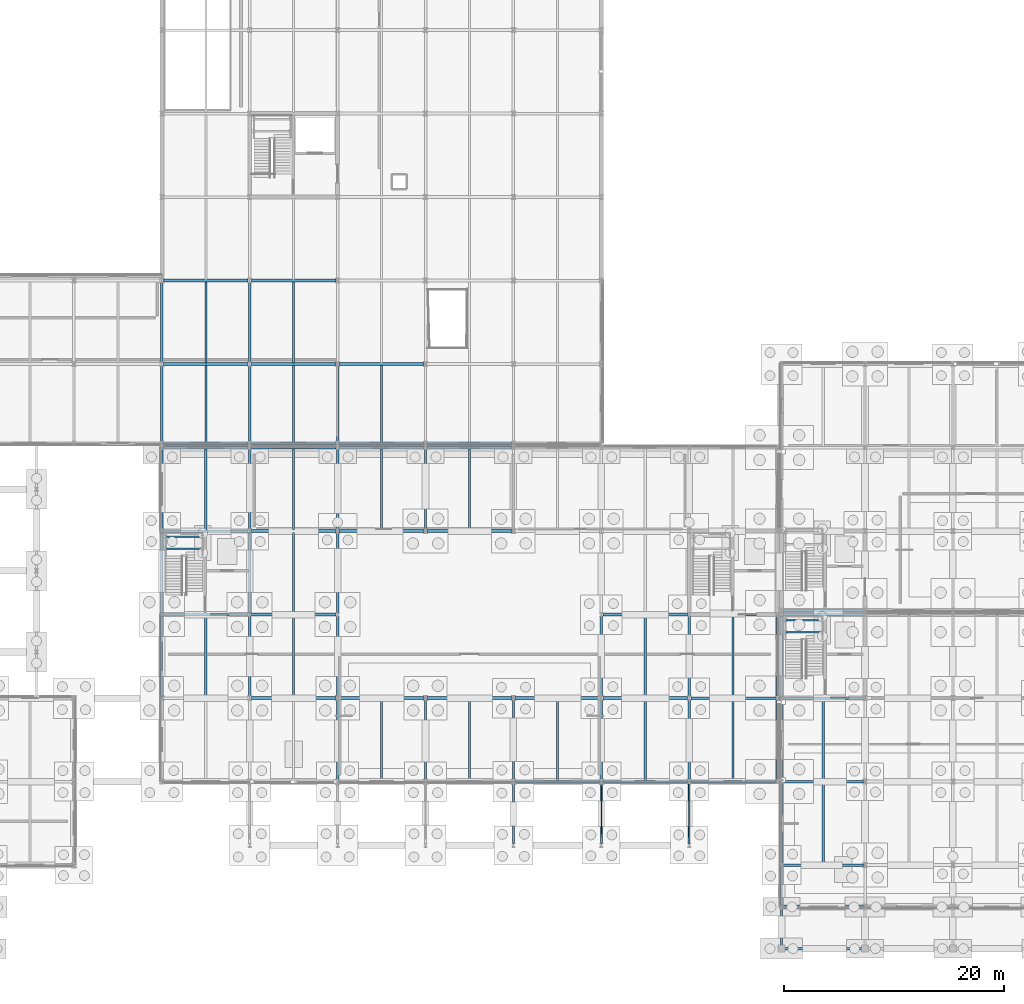
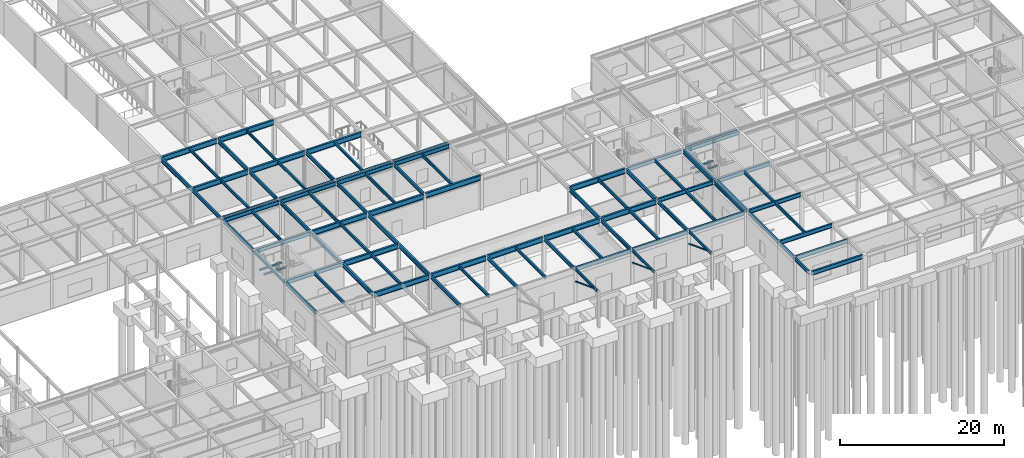
# One storey, part 30 of 62: 94 beams, 3 members.
"""IFC4 building model written with IfcOpenShell, lengths in metres."""

from ifc_helpers import new_model, si_unit, direction, frame, origin, origin_2d, place, context, subcontext, project, spatial, hollow_rectangle, i_section, extrude, material, material_profile, profile_set, type_object, element, save


model = new_model("IFC4")

# Units and contexts
model_context = context("Model", 3, precision=1e-05, world=origin(), true_north=direction((0.0, 1.0)))
body_context = subcontext(model_context, "Body", "Model", "MODEL_VIEW")
ifc_project = project(units=[si_unit("LENGTHUNIT", "METRE"), si_unit("AREAUNIT", "SQUARE_METRE"), si_unit("VOLUMEUNIT", "CUBIC_METRE"), si_unit("PLANEANGLEUNIT", "RADIAN"), si_unit("MASSUNIT", "GRAM", prefix="KILO")], contexts=[model_context])

# Site, building, storey
site_placement = place(None, origin())
site = spatial("IfcSite", under=ifc_project, at=site_placement, CompositionType="ELEMENT")
building_placement = place(site_placement, origin())
building = spatial("IfcBuilding", under=site, at=building_placement, Name="Zulena Civic Courthouse", CompositionType="ELEMENT")
storey_placement = place(building_placement, origin())
storey = spatial("IfcBuildingStorey", under=building, at=storey_placement, Name="L00", CompositionType="ELEMENT", Elevation=0.0)

# Beams
ifc_material_1 = material(Name="Steel ASTM A992 Grade 50", Category="steel")
ifc_material_profile_1 = material_profile(ifc_material_1, i_section(OverallWidth=0.177978515625, OverallDepth=0.406005859375, WebThickness=0.0078125, FlangeThickness=0.0126953125, FilletRadius=0.01025390625, at=origin_2d()), Name="W16X40")
ifc_profile_set_1 = profile_set([ifc_material_profile_1], Name="Steel ASTM A992 Grade 50")
beam_type_1 = type_object("IfcBeamType", Name="CanopyBeam_W16X40", PredefinedType="BEAM", material=ifc_profile_set_1)
for number, where, z_axis, x_axis, name in (
    (1, (100.0, 9.56005859375, 5.0419921875), (0.0, 1.0, 0.0), (-1.0, 0.0, 0.0), "beam:canopy:100.0"),
    (2, (108.0, 9.56005859375, 5.0419921875), (0.0, 1.0, 0.0), (-1.0, 0.0, 0.0), "beam:canopy:108.0"),
    (3, (116.0, 9.56005859375, 5.0419921875), (0.0, 1.0, 0.0), (-1.0, 0.0, 0.0), "beam:canopy:116.0"),
):
    element("IfcBeam", number, at=place(storey_placement, frame(where, z_axis=z_axis, x_axis=x_axis)), inside=storey, type_object=beam_type_1, Name=name, PredefinedType="BEAM", context=body_context, shape_type="SweptSolid", body=[
        extrude(i_section(OverallWidth=0.177978515625, OverallDepth=0.406005859375, WebThickness=0.0078125, FlangeThickness=0.0126953125, FilletRadius=0.01025390625, at=origin_2d()), origin(), (0.0, 0.0, 1.0), 5.43994140625),
    ])

# Members
ifc_material_2 = material(Name="Steel ASTM A500 Grade C", Category="steel")
ifc_material_profile_2 = material_profile(ifc_material_2, hollow_rectangle(XDim=0.152099609375, YDim=0.152099609375, WallThickness=0.0087890625, at=origin_2d()), Name="HSS6X6X3/8")
ifc_profile_set_2 = profile_set([ifc_material_profile_2], Name="Steel ASTM A500 Grade C")
member_type_1 = type_object("IfcMemberType", Name="CanopyStrut_HSS6", PredefinedType="BRACE", material=ifc_profile_set_2)
for number, where, z_axis, x_axis, name in (
    (4, (100.0, 15.0, 3.199951171875), (0.0, -0.935038849003, 0.354545273349), (1.0, 0.0, 0.0), "mem:canopy:strut:100.0"),
    (5, (116.0, 15.0, 3.199951171875), (0.0, -0.935038849003, 0.354545273349), (1.0, 0.0, 0.0), "mem:canopy:strut:116.0"),
):
    element("IfcMember", number, at=place(storey_placement, frame(where, z_axis=z_axis, x_axis=x_axis)), inside=storey, type_object=member_type_1, Name=name, PredefinedType="BRACE", context=body_context, shape_type="SweptSolid", body=[
        extrude(hollow_rectangle(XDim=0.152099609375, YDim=0.152099609375, WallThickness=0.0087890625, at=origin_2d()), origin(), (0.0, 0.0, 1.0), 5.133544921875),
    ])
ifc_material_profile_3 = material_profile(ifc_material_2, hollow_rectangle(XDim=0.10205078125, YDim=0.152099609375, WallThickness=0.0087890625, at=origin_2d()), Name="HSS6X4X3/8")
ifc_profile_set_3 = profile_set([ifc_material_profile_3], Name="Steel ASTM A500 Grade C")
member_type_2 = type_object("IfcMemberType", Name="CanopyStrut_HSS6X4", PredefinedType="BRACE", material=ifc_profile_set_3)
member_placement = place(storey_placement, frame((108.0, 15.0, 3.199951171875), z_axis=(0.0, -0.935038849003, 0.354545273349), x_axis=(1.0, 0.0, 0.0)))
element("IfcMember", 6, at=member_placement, inside=storey, type_object=member_type_2, Name="mem:canopy:strut:108.0", PredefinedType="BRACE", context=body_context, shape_type="SweptSolid", body=[
    extrude(hollow_rectangle(XDim=0.10205078125, YDim=0.152099609375, WallThickness=0.0087890625, at=origin_2d()), origin(), (0.0, 0.0, 1.0), 5.133544921875),
])

# Beams
ifc_material_profile_4 = material_profile(ifc_material_1, i_section(OverallWidth=0.22802734375, OverallDepth=0.60693359375, WebThickness=0.01123046875, FlangeThickness=0.017333984375, FilletRadius=0.0126953125, at=origin_2d()), Name="W24X76")
ifc_profile_set_4 = profile_set([ifc_material_profile_4], Name="Steel ASTM A992 Grade 50")
beam_type_2 = type_object("IfcBeamType", Name="Girder_W24X76", PredefinedType="BEAM", material=ifc_profile_set_4)
for number, where, z_axis, x_axis, name in (
    (7, (68.0, 53.344970703125, 4.881591796875), (0.0, 1.0, 0.0), (-1.0, 0.0, 0.0), "beam:Y:V5:L00:68.0:53.2_60.8"),
    (8, (76.0, 53.344970703125, 4.881591796875), (0.0, 1.0, 0.0), (-1.0, 0.0, 0.0), "beam:Y:V5:L00:76.0:53.2_60.8"),
):
    element("IfcBeam", number, at=place(storey_placement, frame(where, z_axis=z_axis, x_axis=x_axis)), inside=storey, type_object=beam_type_2, Name=name, PredefinedType="BEAM", context=body_context, shape_type="SweptSolid", body=[
        extrude(i_section(OverallWidth=0.22802734375, OverallDepth=0.60693359375, WebThickness=0.01123046875, FlangeThickness=0.017333984375, FilletRadius=0.0126953125, at=origin_2d()), origin(), (0.0, 0.0, 1.0), 7.31005859375),
    ])
ifc_material_profile_5 = material_profile(ifc_material_1, i_section(OverallWidth=0.22998046875, OverallDepth=0.616943359375, WebThickness=0.01318359375, FlangeThickness=0.022216796875, FilletRadius=0.0126953125, at=origin_2d()), Name="W24X94")
ifc_profile_set_5 = profile_set([ifc_material_profile_5], Name="Steel ASTM A992 Grade 50")
beam_type_3 = type_object("IfcBeamType", Name="Girder_W24X94", PredefinedType="BEAM", material=ifc_profile_set_5)
beam_1_placement = place(storey_placement, frame((76.0, 22.945068359375, 4.87646484375), z_axis=(0.0, 1.0, 0.0), x_axis=(-1.0, 0.0, 0.0)))
element("IfcBeam", 9, at=beam_1_placement, inside=storey, type_object=beam_type_3, Name="beam:Y:V4:L00:76.0:22.8_30.4", PredefinedType="BEAM", context=body_context, shape_type="SweptSolid", body=[
    extrude(i_section(OverallWidth=0.22998046875, OverallDepth=0.616943359375, WebThickness=0.01318359375, FlangeThickness=0.022216796875, FilletRadius=0.0126953125, at=origin_2d()), origin(), (0.0, 0.0, 1.0), 7.309814453125),
])
beam_2_placement = place(storey_placement, frame((76.0, 30.544921875, 4.87646484375), z_axis=(0.0, 1.0, 0.0), x_axis=(-1.0, 0.0, 0.0)))
element("IfcBeam", 10, at=beam_2_placement, inside=storey, type_object=beam_type_3, Name="beam:Y:V4:L00:76.0:30.4_38.0", PredefinedType="BEAM", context=body_context, shape_type="SweptSolid", body=[
    extrude(i_section(OverallWidth=0.22998046875, OverallDepth=0.616943359375, WebThickness=0.01318359375, FlangeThickness=0.022216796875, FilletRadius=0.0126953125, at=origin_2d()), origin(), (0.0, 0.0, 1.0), 7.31005859375),
])
beam_3_placement = place(storey_placement, frame((84.0, 22.945068359375, 4.87646484375), z_axis=(0.0, 1.0, 0.0), x_axis=(-1.0, 0.0, 0.0)))
element("IfcBeam", 11, at=beam_3_placement, inside=storey, type_object=beam_type_3, Name="beam:Y:V4:L00:84.0:22.8_30.4", PredefinedType="BEAM", context=body_context, shape_type="SweptSolid", body=[
    extrude(i_section(OverallWidth=0.22998046875, OverallDepth=0.616943359375, WebThickness=0.01318359375, FlangeThickness=0.022216796875, FilletRadius=0.0126953125, at=origin_2d()), origin(), (0.0, 0.0, 1.0), 7.309814453125),
])
beam_4_placement = place(storey_placement, frame((84.0, 30.544921875, 4.87646484375), z_axis=(0.0, 1.0, 0.0), x_axis=(-1.0, 0.0, 0.0)))
element("IfcBeam", 12, at=beam_4_placement, inside=storey, type_object=beam_type_3, Name="beam:Y:V4:L00:84.0:30.4_38.0", PredefinedType="BEAM", context=body_context, shape_type="SweptSolid", body=[
    extrude(i_section(OverallWidth=0.22998046875, OverallDepth=0.616943359375, WebThickness=0.01318359375, FlangeThickness=0.022216796875, FilletRadius=0.0126953125, at=origin_2d()), origin(), (0.0, 0.0, 1.0), 7.31005859375),
])
for number, where, z_axis, x_axis, name in (
    (13, (108.0, 22.945068359375, 4.87646484375), (0.0, 1.0, 0.0), (-1.0, 0.0, 0.0), "beam:Y:V4:L00:108.0:22.8_30.4"),
    (14, (116.0, 22.945068359375, 4.87646484375), (0.0, 1.0, 0.0), (-1.0, 0.0, 0.0), "beam:Y:V4:L00:116.0:22.8_30.4"),
):
    element("IfcBeam", number, at=place(storey_placement, frame(where, z_axis=z_axis, x_axis=x_axis)), inside=storey, type_object=beam_type_3, Name=name, PredefinedType="BEAM", context=body_context, shape_type="SweptSolid", body=[
        extrude(i_section(OverallWidth=0.22998046875, OverallDepth=0.616943359375, WebThickness=0.01318359375, FlangeThickness=0.022216796875, FilletRadius=0.0126953125, at=origin_2d()), origin(), (0.0, 0.0, 1.0), 7.309814453125),
    ])
ifc_material_profile_6 = material_profile(ifc_material_1, i_section(OverallWidth=0.26708984375, OverallDepth=0.761962890625, WebThickness=0.014404296875, FlangeThickness=0.021484375, FilletRadius=0.0166015625, at=origin_2d()), Name="W30X116")
ifc_profile_set_6 = profile_set([ifc_material_profile_6], Name="Steel ASTM A992 Grade 50")
beam_type_4 = type_object("IfcBeamType", Name="Girder_W30X116", PredefinedType="BEAM", material=ifc_profile_set_6)
for number, where, z_axis, x_axis, name in (
    (15, (68.14501953125, 53.199951171875, 4.803955078125), (1.0, 0.0, 0.0), (0.0, 1.0, 0.0), "beam:X:V5:L00:53.2:68.0_76.0"),
    (16, (76.14501953125, 53.199951171875, 4.803955078125), (1.0, 0.0, 0.0), (0.0, 1.0, 0.0), "beam:X:V5:L00:53.2:76.0_84.0"),
    (17, (84.14501953125, 53.199951171875, 4.803955078125), (1.0, 0.0, 0.0), (0.0, 1.0, 0.0), "beam:X:V5:L00:53.2:84.0_92.0"),
    (18, (68.14501953125, 60.800048828125, 4.803955078125), (1.0, 0.0, 0.0), (0.0, 1.0, 0.0), "beam:X:V5:L00:60.8:68.0_76.0"),
    (19, (76.14501953125, 60.800048828125, 4.803955078125), (1.0, 0.0, 0.0), (0.0, 1.0, 0.0), "beam:X:V5:L00:60.8:76.0_84.0"),
):
    element("IfcBeam", number, at=place(storey_placement, frame(where, z_axis=z_axis, x_axis=x_axis)), inside=storey, type_object=beam_type_4, Name=name, PredefinedType="BEAM", context=body_context, shape_type="SweptSolid", body=[
        extrude(i_section(OverallWidth=0.26708984375, OverallDepth=0.761962890625, WebThickness=0.014404296875, FlangeThickness=0.021484375, FilletRadius=0.0166015625, at=origin_2d()), origin(), (0.0, 0.0, 1.0), 7.7099609375),
    ])
ifc_material_profile_7 = material_profile(ifc_material_1, i_section(OverallWidth=0.26611328125, OverallDepth=0.779052734375, WebThickness=0.0166015625, FlangeThickness=0.030029296875, FilletRadius=0.0166015625, at=origin_2d()), Name="W30X148")
ifc_profile_set_7 = profile_set([ifc_material_profile_7], Name="Steel ASTM A992 Grade 50")
beam_type_5 = type_object("IfcBeamType", Name="Girder_W30X148", PredefinedType="BEAM", material=ifc_profile_set_7)
for number, where, z_axis, x_axis, name in (
    (20, (76.14501953125, 22.800048828125, 4.79541015625), (1.0, 0.0, 0.0), (0.0, 1.0, 0.0), "beam:X:V4:L00:22.8:76.0_84.0"),
    (21, (84.14501953125, 22.800048828125, 4.79541015625), (1.0, 0.0, 0.0), (0.0, 1.0, 0.0), "beam:X:V4:L00:22.8:84.0_92.0"),
    (22, (92.14501953125, 22.800048828125, 4.79541015625), (1.0, 0.0, 0.0), (0.0, 1.0, 0.0), "beam:X:V4:L00:22.8:92.0_100.0"),
    (23, (100.14501953125, 22.800048828125, 4.79541015625), (1.0, 0.0, 0.0), (0.0, 1.0, 0.0), "beam:X:V4:L00:22.8:100.0_108.0"),
    (24, (108.14501953125, 22.800048828125, 4.79541015625), (1.0, 0.0, 0.0), (0.0, 1.0, 0.0), "beam:X:V4:L00:22.8:108.0_116.0"),
    (25, (76.14501953125, 30.39990234375, 4.79541015625), (1.0, 0.0, 0.0), (0.0, 1.0, 0.0), "beam:X:V4:L00:30.4:76.0_84.0"),
    (26, (108.14501953125, 30.39990234375, 4.79541015625), (1.0, 0.0, 0.0), (0.0, 1.0, 0.0), "beam:X:V4:L00:30.4:108.0_116.0"),
    (27, (76.14501953125, 38.0, 4.79541015625), (1.0, 0.0, 0.0), (0.0, 1.0, 0.0), "beam:X:V4:L00:38.0:76.0_84.0"),
    (28, (84.14501953125, 38.0, 4.79541015625), (1.0, 0.0, 0.0), (0.0, 1.0, 0.0), "beam:X:V4:L00:38.0:84.0_92.0"),
    (29, (92.14501953125, 38.0, 4.79541015625), (1.0, 0.0, 0.0), (0.0, 1.0, 0.0), "beam:X:V4:L00:38.0:92.0_100.0"),
):
    element("IfcBeam", number, at=place(storey_placement, frame(where, z_axis=z_axis, x_axis=x_axis)), inside=storey, type_object=beam_type_5, Name=name, PredefinedType="BEAM", context=body_context, shape_type="SweptSolid", body=[
        extrude(i_section(OverallWidth=0.26611328125, OverallDepth=0.779052734375, WebThickness=0.0166015625, FlangeThickness=0.030029296875, FilletRadius=0.0166015625, at=origin_2d()), origin(), (0.0, 0.0, 1.0), 7.7099609375),
    ])
ifc_material_profile_8 = material_profile(ifc_material_1, i_section(OverallWidth=0.14599609375, OverallDepth=0.258056640625, WebThickness=0.006103515625, FlangeThickness=0.009033203125, FilletRadius=0.007568359375, at=origin_2d()), Name="W10X22")
ifc_profile_set_8 = profile_set([ifc_material_profile_8], Name="Steel ASTM A992 Grade 50")
beam_type_6 = type_object("IfcBeamType", Name="Joist_W10X22", PredefinedType="JOIST", material=ifc_profile_set_8)
for number, where, z_axis, x_axis, name in (
    (30, (124.820068359375, 28.800048828125, 2.291015625), (1.0, 0.0, 0.0), (0.0, 1.0, 0.0), "beam:lnd:K1A:L00:0"),
    (31, (124.820068359375, 29.89990234375, 2.291015625), (1.0, 0.0, 0.0), (0.0, 1.0, 0.0), "beam:lnd:K1A:L00:1"),
):
    element("IfcBeam", number, at=place(storey_placement, frame(where, z_axis=z_axis, x_axis=x_axis)), inside=storey, type_object=beam_type_6, Name=name, PredefinedType="JOIST", context=body_context, shape_type="SweptSolid", body=[
        extrude(i_section(OverallWidth=0.14599609375, OverallDepth=0.258056640625, WebThickness=0.006103515625, FlangeThickness=0.009033203125, FilletRadius=0.007568359375, at=origin_2d()), origin(), (0.0, 0.0, 1.0), 3.199951171875),
    ])
for number, where, z_axis, x_axis, name in (
    (32, (68.419921875, 36.39990234375, 2.291015625), (1.0, 0.0, 0.0), (0.0, 1.0, 0.0), "beam:lnd:K4A:L00:0"),
    (33, (68.419921875, 37.5, 2.291015625), (1.0, 0.0, 0.0), (0.0, 1.0, 0.0), "beam:lnd:K4A:L00:1"),
):
    element("IfcBeam", number, at=place(storey_placement, frame(where, z_axis=z_axis, x_axis=x_axis)), inside=storey, type_object=beam_type_6, Name=name, PredefinedType="JOIST", context=body_context, shape_type="SweptSolid", body=[
        extrude(i_section(OverallWidth=0.14599609375, OverallDepth=0.258056640625, WebThickness=0.006103515625, FlangeThickness=0.009033203125, FilletRadius=0.007568359375, at=origin_2d()), origin(), (0.0, 0.0, 1.0), 3.2001953125),
    ])
ifc_material_profile_9 = material_profile(ifc_material_1, i_section(OverallWidth=0.180908203125, OverallDepth=0.4169921875, WebThickness=0.010986328125, FlangeThickness=0.018310546875, FilletRadius=0.01025390625, at=origin_2d()), Name="W16X57")
ifc_profile_set_9 = profile_set([ifc_material_profile_9], Name="Steel ASTM A992 Grade 50")
beam_type_7 = type_object("IfcBeamType", Name="Joist_W16X57", PredefinedType="JOIST", material=ifc_profile_set_9)
beam_5_placement = place(storey_placement, frame((72.0, 46.10498046875, 4.9765625), z_axis=(0.0, 1.0, 0.0), x_axis=(-1.0, 0.0, 0.0)))
element("IfcBeam", 34, at=beam_5_placement, inside=storey, type_object=beam_type_7, Name="joist:V5:L00:72.00:46.0_53.2", PredefinedType="JOIST", context=body_context, shape_type="SweptSolid", body=[
    extrude(i_section(OverallWidth=0.180908203125, OverallDepth=0.4169921875, WebThickness=0.010986328125, FlangeThickness=0.018310546875, FilletRadius=0.01025390625, at=origin_2d()), origin(), (0.0, 0.0, 1.0), 6.989990234375),
])
beam_6_placement = place(storey_placement, frame((72.0, 53.304931640625, 4.9765625), z_axis=(0.0, 1.0, 0.0), x_axis=(-1.0, 0.0, 0.0)))
element("IfcBeam", 35, at=beam_6_placement, inside=storey, type_object=beam_type_7, Name="joist:V5:L00:72.00:53.2_60.8", PredefinedType="JOIST", context=body_context, shape_type="SweptSolid", body=[
    extrude(i_section(OverallWidth=0.180908203125, OverallDepth=0.4169921875, WebThickness=0.010986328125, FlangeThickness=0.018310546875, FilletRadius=0.01025390625, at=origin_2d()), origin(), (0.0, 0.0, 1.0), 7.39013671875),
])
beam_7_placement = place(storey_placement, frame((80.0, 46.10498046875, 4.9765625), z_axis=(0.0, 1.0, 0.0), x_axis=(-1.0, 0.0, 0.0)))
element("IfcBeam", 36, at=beam_7_placement, inside=storey, type_object=beam_type_7, Name="joist:V5:L00:80.00:46.0_53.2", PredefinedType="JOIST", context=body_context, shape_type="SweptSolid", body=[
    extrude(i_section(OverallWidth=0.180908203125, OverallDepth=0.4169921875, WebThickness=0.010986328125, FlangeThickness=0.018310546875, FilletRadius=0.01025390625, at=origin_2d()), origin(), (0.0, 0.0, 1.0), 6.989990234375),
])
beam_8_placement = place(storey_placement, frame((80.0, 53.304931640625, 4.9765625), z_axis=(0.0, 1.0, 0.0), x_axis=(-1.0, 0.0, 0.0)))
element("IfcBeam", 37, at=beam_8_placement, inside=storey, type_object=beam_type_7, Name="joist:V5:L00:80.00:53.2_60.8", PredefinedType="JOIST", context=body_context, shape_type="SweptSolid", body=[
    extrude(i_section(OverallWidth=0.180908203125, OverallDepth=0.4169921875, WebThickness=0.010986328125, FlangeThickness=0.018310546875, FilletRadius=0.01025390625, at=origin_2d()), origin(), (0.0, 0.0, 1.0), 7.39013671875),
])
beam_9_placement = place(storey_placement, frame((88.0, 46.10498046875, 4.9765625), z_axis=(0.0, 1.0, 0.0), x_axis=(-1.0, 0.0, 0.0)))
element("IfcBeam", 38, at=beam_9_placement, inside=storey, type_object=beam_type_7, Name="joist:V5:L00:88.00:46.0_53.2", PredefinedType="JOIST", context=body_context, shape_type="SweptSolid", body=[
    extrude(i_section(OverallWidth=0.180908203125, OverallDepth=0.4169921875, WebThickness=0.010986328125, FlangeThickness=0.018310546875, FilletRadius=0.01025390625, at=origin_2d()), origin(), (0.0, 0.0, 1.0), 6.989990234375),
])
ifc_material_profile_10 = material_profile(ifc_material_1, i_section(OverallWidth=0.19091796875, OverallDepth=0.4599609375, WebThickness=0.010009765625, FlangeThickness=0.01611328125, FilletRadius=0.01025390625, at=origin_2d()), Name="W18X55")
ifc_profile_set_10 = profile_set([ifc_material_profile_10], Name="Steel ASTM A992 Grade 50")
beam_type_8 = type_object("IfcBeamType", Name="Joist_W18X55", PredefinedType="JOIST", material=ifc_profile_set_10)
beam_10_placement = place(storey_placement, frame((128.199951171875, 7.705078125, 4.955078125), z_axis=(0.0, 1.0, 0.0), x_axis=(-1.0, 0.0, 0.0)))
element("IfcBeam", 39, at=beam_10_placement, inside=storey, type_object=beam_type_8, Name="joist:V1:L00:128.20:7.6_15.2", PredefinedType="JOIST", context=body_context, shape_type="SweptSolid", body=[
    extrude(i_section(OverallWidth=0.19091796875, OverallDepth=0.4599609375, WebThickness=0.010009765625, FlangeThickness=0.01611328125, FilletRadius=0.01025390625, at=origin_2d()), origin(), (0.0, 0.0, 1.0), 7.389892578125),
])
beam_11_placement = place(storey_placement, frame((128.199951171875, 15.304931640625, 4.955078125), z_axis=(0.0, 1.0, 0.0), x_axis=(-1.0, 0.0, 0.0)))
element("IfcBeam", 40, at=beam_11_placement, inside=storey, type_object=beam_type_8, Name="joist:V1:L00:128.20:15.2_22.8", PredefinedType="JOIST", context=body_context, shape_type="SweptSolid", body=[
    extrude(i_section(OverallWidth=0.19091796875, OverallDepth=0.4599609375, WebThickness=0.010009765625, FlangeThickness=0.01611328125, FilletRadius=0.01025390625, at=origin_2d()), origin(), (0.0, 0.0, 1.0), 7.39013671875),
])
beam_12_placement = place(storey_placement, frame((72.0, 22.905029296875, 4.955078125), z_axis=(0.0, 1.0, 0.0), x_axis=(-1.0, 0.0, 0.0)))
element("IfcBeam", 41, at=beam_12_placement, inside=storey, type_object=beam_type_8, Name="joist:V4:L00:72.00:22.8_30.4", PredefinedType="JOIST", context=body_context, shape_type="SweptSolid", body=[
    extrude(i_section(OverallWidth=0.19091796875, OverallDepth=0.4599609375, WebThickness=0.010009765625, FlangeThickness=0.01611328125, FilletRadius=0.01025390625, at=origin_2d()), origin(), (0.0, 0.0, 1.0), 7.389892578125),
])
beam_13_placement = place(storey_placement, frame((72.0, 38.10498046875, 4.955078125), z_axis=(0.0, 1.0, 0.0), x_axis=(-1.0, 0.0, 0.0)))
element("IfcBeam", 42, at=beam_13_placement, inside=storey, type_object=beam_type_8, Name="joist:V4:L00:72.00:38.0_45.6", PredefinedType="JOIST", context=body_context, shape_type="SweptSolid", body=[
    extrude(i_section(OverallWidth=0.19091796875, OverallDepth=0.4599609375, WebThickness=0.010009765625, FlangeThickness=0.01611328125, FilletRadius=0.01025390625, at=origin_2d()), origin(), (0.0, 0.0, 1.0), 7.39013671875),
])
beam_14_placement = place(storey_placement, frame((80.0, 22.905029296875, 4.955078125), z_axis=(0.0, 1.0, 0.0), x_axis=(-1.0, 0.0, 0.0)))
element("IfcBeam", 43, at=beam_14_placement, inside=storey, type_object=beam_type_8, Name="joist:V4:L00:80.00:22.8_30.4", PredefinedType="JOIST", context=body_context, shape_type="SweptSolid", body=[
    extrude(i_section(OverallWidth=0.19091796875, OverallDepth=0.4599609375, WebThickness=0.010009765625, FlangeThickness=0.01611328125, FilletRadius=0.01025390625, at=origin_2d()), origin(), (0.0, 0.0, 1.0), 7.389892578125),
])
for number, where, z_axis, x_axis, name in (
    (44, (80.0, 30.5048828125, 4.955078125), (0.0, 1.0, 0.0), (-1.0, 0.0, 0.0), "joist:V4:L00:80.00:30.4_38.0"),
    (45, (80.0, 38.10498046875, 4.955078125), (0.0, 1.0, 0.0), (-1.0, 0.0, 0.0), "joist:V4:L00:80.00:38.0_45.6"),
    (46, (88.0, 15.304931640625, 4.955078125), (0.0, 1.0, 0.0), (-1.0, 0.0, 0.0), "joist:V4:L00:88.00:15.2_22.8"),
    (47, (88.0, 38.10498046875, 4.955078125), (0.0, 1.0, 0.0), (-1.0, 0.0, 0.0), "joist:V4:L00:88.00:38.0_45.6"),
    (48, (96.0, 15.304931640625, 4.955078125), (0.0, 1.0, 0.0), (-1.0, 0.0, 0.0), "joist:V4:L00:96.00:15.2_22.8"),
    (49, (96.0, 38.10498046875, 4.955078125), (0.0, 1.0, 0.0), (-1.0, 0.0, 0.0), "joist:V4:L00:96.00:38.0_45.6"),
    (50, (104.0, 15.304931640625, 4.955078125), (0.0, 1.0, 0.0), (-1.0, 0.0, 0.0), "joist:V4:L00:104.00:15.2_22.8"),
    (51, (112.0, 15.304931640625, 4.955078125), (0.0, 1.0, 0.0), (-1.0, 0.0, 0.0), "joist:V4:L00:112.00:15.2_22.8"),
):
    element("IfcBeam", number, at=place(storey_placement, frame(where, z_axis=z_axis, x_axis=x_axis)), inside=storey, type_object=beam_type_8, Name=name, PredefinedType="JOIST", context=body_context, shape_type="SweptSolid", body=[
        extrude(i_section(OverallWidth=0.19091796875, OverallDepth=0.4599609375, WebThickness=0.010009765625, FlangeThickness=0.01611328125, FilletRadius=0.01025390625, at=origin_2d()), origin(), (0.0, 0.0, 1.0), 7.39013671875),
    ])
beam_15_placement = place(storey_placement, frame((112.0, 22.905029296875, 4.955078125), z_axis=(0.0, 1.0, 0.0), x_axis=(-1.0, 0.0, 0.0)))
element("IfcBeam", 52, at=beam_15_placement, inside=storey, type_object=beam_type_8, Name="joist:V4:L00:112.00:22.8_30.4", PredefinedType="JOIST", context=body_context, shape_type="SweptSolid", body=[
    extrude(i_section(OverallWidth=0.19091796875, OverallDepth=0.4599609375, WebThickness=0.010009765625, FlangeThickness=0.01611328125, FilletRadius=0.01025390625, at=origin_2d()), origin(), (0.0, 0.0, 1.0), 7.389892578125),
])
beam_16_placement = place(storey_placement, frame((120.0, 15.304931640625, 4.955078125), z_axis=(0.0, 1.0, 0.0), x_axis=(-1.0, 0.0, 0.0)))
element("IfcBeam", 53, at=beam_16_placement, inside=storey, type_object=beam_type_8, Name="joist:V4:L00:120.00:15.2_22.8", PredefinedType="JOIST", context=body_context, shape_type="SweptSolid", body=[
    extrude(i_section(OverallWidth=0.19091796875, OverallDepth=0.4599609375, WebThickness=0.010009765625, FlangeThickness=0.01611328125, FilletRadius=0.01025390625, at=origin_2d()), origin(), (0.0, 0.0, 1.0), 7.39013671875),
])
beam_17_placement = place(storey_placement, frame((120.0, 22.905029296875, 4.955078125), z_axis=(0.0, 1.0, 0.0), x_axis=(-1.0, 0.0, 0.0)))
element("IfcBeam", 54, at=beam_17_placement, inside=storey, type_object=beam_type_8, Name="joist:V4:L00:120.00:22.8_30.4", PredefinedType="JOIST", context=body_context, shape_type="SweptSolid", body=[
    extrude(i_section(OverallWidth=0.19091796875, OverallDepth=0.4599609375, WebThickness=0.010009765625, FlangeThickness=0.01611328125, FilletRadius=0.01025390625, at=origin_2d()), origin(), (0.0, 0.0, 1.0), 7.389892578125),
])
ifc_material_profile_11 = material_profile(ifc_material_1, i_section(OverallWidth=0.2099609375, OverallDepth=0.537109375, WebThickness=0.010986328125, FlangeThickness=0.017333984375, FilletRadius=0.0126953125, at=origin_2d()), Name="W21X68")
ifc_profile_set_11 = profile_set([ifc_material_profile_11], Name="Steel ASTM A992 Grade 50")
beam_type_9 = type_object("IfcBeamType", Name="Spandrel_W21X68", PredefinedType="SPANDREL", material=ifc_profile_set_11)
for number, where, z_axis, x_axis, name in (
    (55, (124.39990234375, 0.14501953125, 4.91650390625), (0.0, 1.0, 0.0), (-1.0, 0.0, 0.0), "beam:Y:V1:L00:124.4:0.0_3.8"),
    (56, (124.39990234375, 3.945068359375, 4.91650390625), (0.0, 1.0, 0.0), (-1.0, 0.0, 0.0), "beam:Y:V1:L00:124.4:3.8_7.6"),
):
    element("IfcBeam", number, at=place(storey_placement, frame(where, z_axis=z_axis, x_axis=x_axis)), inside=storey, type_object=beam_type_9, Name=name, PredefinedType="SPANDREL", context=body_context, shape_type="SweptSolid", body=[
        extrude(i_section(OverallWidth=0.2099609375, OverallDepth=0.537109375, WebThickness=0.010986328125, FlangeThickness=0.017333984375, FilletRadius=0.0126953125, at=origin_2d()), origin(), (0.0, 0.0, 1.0), 3.510009765625),
    ])
beam_18_placement = place(storey_placement, frame((124.39990234375, 7.7451171875, 4.91650390625), z_axis=(0.0, 1.0, 0.0), x_axis=(-1.0, 0.0, 0.0)))
element("IfcBeam", 57, at=beam_18_placement, inside=storey, type_object=beam_type_9, Name="beam:Y:V1:L00:124.4:7.6_15.2", PredefinedType="SPANDREL", context=body_context, shape_type="SweptSolid", body=[
    extrude(i_section(OverallWidth=0.2099609375, OverallDepth=0.537109375, WebThickness=0.010986328125, FlangeThickness=0.017333984375, FilletRadius=0.0126953125, at=origin_2d()), origin(), (0.0, 0.0, 1.0), 7.309814453125),
])
beam_19_placement = place(storey_placement, frame((124.39990234375, 15.344970703125, 4.91650390625), z_axis=(0.0, 1.0, 0.0), x_axis=(-1.0, 0.0, 0.0)))
element("IfcBeam", 58, at=beam_19_placement, inside=storey, type_object=beam_type_9, Name="beam:Y:V1:L00:124.4:15.2_22.8", PredefinedType="SPANDREL", context=body_context, shape_type="SweptSolid", body=[
    extrude(i_section(OverallWidth=0.2099609375, OverallDepth=0.537109375, WebThickness=0.010986328125, FlangeThickness=0.017333984375, FilletRadius=0.0126953125, at=origin_2d()), origin(), (0.0, 0.0, 1.0), 7.31005859375),
])
for number, where, z_axis, x_axis, name in (
    (59, (124.39990234375, 22.945068359375, 4.91650390625), (0.0, 1.0, 0.0), (-1.0, 0.0, 0.0), "beam:Y:V1:L00:124.4:22.8_30.4"),
    (60, (68.0, 22.945068359375, 4.91650390625), (0.0, 1.0, 0.0), (-1.0, 0.0, 0.0), "beam:Y:V4:L00:68.0:22.8_30.4"),
):
    element("IfcBeam", number, at=place(storey_placement, frame(where, z_axis=z_axis, x_axis=x_axis)), inside=storey, type_object=beam_type_9, Name=name, PredefinedType="SPANDREL", context=body_context, shape_type="SweptSolid", body=[
        extrude(i_section(OverallWidth=0.2099609375, OverallDepth=0.537109375, WebThickness=0.010986328125, FlangeThickness=0.017333984375, FilletRadius=0.0126953125, at=origin_2d()), origin(), (0.0, 0.0, 1.0), 7.309814453125),
    ])
for number, where, z_axis, x_axis, name in (
    (61, (68.0, 30.544921875, 4.91650390625), (0.0, 1.0, 0.0), (-1.0, 0.0, 0.0), "beam:Y:V4:L00:68.0:30.4_38.0"),
    (62, (68.0, 38.14501953125, 4.91650390625), (0.0, 1.0, 0.0), (-1.0, 0.0, 0.0), "beam:Y:V4:L00:68.0:38.0_45.6"),
    (63, (76.0, 38.14501953125, 4.91650390625), (0.0, 1.0, 0.0), (-1.0, 0.0, 0.0), "beam:Y:V4:L00:76.0:38.0_45.6"),
    (64, (84.0, 15.344970703125, 4.91650390625), (0.0, 1.0, 0.0), (-1.0, 0.0, 0.0), "beam:Y:V4:L00:84.0:15.2_22.8"),
    (65, (84.0, 38.14501953125, 4.91650390625), (0.0, 1.0, 0.0), (-1.0, 0.0, 0.0), "beam:Y:V4:L00:84.0:38.0_45.6"),
    (66, (92.0, 15.344970703125, 4.91650390625), (0.0, 1.0, 0.0), (-1.0, 0.0, 0.0), "beam:Y:V4:L00:92.0:15.2_22.8"),
    (67, (92.0, 38.14501953125, 4.91650390625), (0.0, 1.0, 0.0), (-1.0, 0.0, 0.0), "beam:Y:V4:L00:92.0:38.0_45.6"),
    (68, (100.0, 15.344970703125, 4.91650390625), (0.0, 1.0, 0.0), (-1.0, 0.0, 0.0), "beam:Y:V4:L00:100.0:15.2_22.8"),
    (69, (108.0, 15.344970703125, 4.91650390625), (0.0, 1.0, 0.0), (-1.0, 0.0, 0.0), "beam:Y:V4:L00:108.0:15.2_22.8"),
    (70, (116.0, 15.344970703125, 4.91650390625), (0.0, 1.0, 0.0), (-1.0, 0.0, 0.0), "beam:Y:V4:L00:116.0:15.2_22.8"),
    (71, (124.0, 15.344970703125, 4.91650390625), (0.0, 1.0, 0.0), (-1.0, 0.0, 0.0), "beam:Y:V4:L00:124.0:15.2_22.8"),
):
    element("IfcBeam", number, at=place(storey_placement, frame(where, z_axis=z_axis, x_axis=x_axis)), inside=storey, type_object=beam_type_9, Name=name, PredefinedType="SPANDREL", context=body_context, shape_type="SweptSolid", body=[
        extrude(i_section(OverallWidth=0.2099609375, OverallDepth=0.537109375, WebThickness=0.010986328125, FlangeThickness=0.017333984375, FilletRadius=0.0126953125, at=origin_2d()), origin(), (0.0, 0.0, 1.0), 7.31005859375),
    ])
beam_20_placement = place(storey_placement, frame((124.0, 22.945068359375, 4.91650390625), z_axis=(0.0, 1.0, 0.0), x_axis=(-1.0, 0.0, 0.0)))
element("IfcBeam", 72, at=beam_20_placement, inside=storey, type_object=beam_type_9, Name="beam:Y:V4:L00:124.0:22.8_30.4", PredefinedType="SPANDREL", context=body_context, shape_type="SweptSolid", body=[
    extrude(i_section(OverallWidth=0.2099609375, OverallDepth=0.537109375, WebThickness=0.010986328125, FlangeThickness=0.017333984375, FilletRadius=0.0126953125, at=origin_2d()), origin(), (0.0, 0.0, 1.0), 7.309814453125),
])
for number, where, z_axis, x_axis, name in (
    (73, (68.0, 46.14501953125, 4.91650390625), (0.0, 1.0, 0.0), (-1.0, 0.0, 0.0), "beam:Y:V5:L00:68.0:46.0_53.2"),
    (74, (76.0, 46.14501953125, 4.91650390625), (0.0, 1.0, 0.0), (-1.0, 0.0, 0.0), "beam:Y:V5:L00:76.0:46.0_53.2"),
    (75, (84.0, 46.14501953125, 4.91650390625), (0.0, 1.0, 0.0), (-1.0, 0.0, 0.0), "beam:Y:V5:L00:84.0:46.0_53.2"),
):
    element("IfcBeam", number, at=place(storey_placement, frame(where, z_axis=z_axis, x_axis=x_axis)), inside=storey, type_object=beam_type_9, Name=name, PredefinedType="SPANDREL", context=body_context, shape_type="SweptSolid", body=[
        extrude(i_section(OverallWidth=0.2099609375, OverallDepth=0.537109375, WebThickness=0.010986328125, FlangeThickness=0.017333984375, FilletRadius=0.0126953125, at=origin_2d()), origin(), (0.0, 0.0, 1.0), 6.909912109375),
    ])
ifc_material_profile_12 = material_profile(ifc_material_1, i_section(OverallWidth=0.22998046875, OverallDepth=0.616943359375, WebThickness=0.01318359375, FlangeThickness=0.022216796875, FilletRadius=0.0126953125, at=origin_2d()), Name="W24X94")
ifc_profile_set_12 = profile_set([ifc_material_profile_12], Name="Steel ASTM A992 Grade 50")
beam_type_10 = type_object("IfcBeamType", Name="Spandrel_W24X94", PredefinedType="SPANDREL", material=ifc_profile_set_12)
for number, where, z_axis, x_axis, name in (
    (76, (124.544921875, 0.0, 4.87646484375), (1.0, 0.0, 0.0), (0.0, 1.0, 0.0), "beam:X:V1:L00:0.0:124.4_132.0"),
    (77, (124.544921875, 3.800048828125, 4.87646484375), (1.0, 0.0, 0.0), (0.0, 1.0, 0.0), "beam:X:V1:L00:3.8:124.4_132.0"),
    (78, (124.544921875, 7.60009765625, 4.87646484375), (1.0, 0.0, 0.0), (0.0, 1.0, 0.0), "beam:X:V1:L00:7.6:124.4_132.0"),
    (79, (124.544921875, 15.199951171875, 4.87646484375), (1.0, 0.0, 0.0), (0.0, 1.0, 0.0), "beam:X:V1:L00:15.2:124.4_132.0"),
    (80, (124.544921875, 22.800048828125, 4.87646484375), (1.0, 0.0, 0.0), (0.0, 1.0, 0.0), "beam:X:V1:L00:22.8:124.4_132.0"),
    (81, (124.544921875, 30.39990234375, 4.87646484375), (1.0, 0.0, 0.0), (0.0, 1.0, 0.0), "beam:X:V1:L00:30.4:124.4_132.0"),
    (82, (124.544921875, 30.800048828125, 4.87646484375), (1.0, 0.0, 0.0), (0.0, 1.0, 0.0), "beam:X:V3:L00:30.8:124.4_132.0"),
):
    element("IfcBeam", number, at=place(storey_placement, frame(where, z_axis=z_axis, x_axis=x_axis)), inside=storey, type_object=beam_type_10, Name=name, PredefinedType="SPANDREL", context=body_context, shape_type="SweptSolid", body=[
        extrude(i_section(OverallWidth=0.22998046875, OverallDepth=0.616943359375, WebThickness=0.01318359375, FlangeThickness=0.022216796875, FilletRadius=0.0126953125, at=origin_2d()), origin(), (0.0, 0.0, 1.0), 7.31005859375),
    ])
for number, where, z_axis, x_axis, name in (
    (83, (100.14501953125, 15.199951171875, 4.87646484375), (1.0, 0.0, 0.0), (0.0, 1.0, 0.0), "beam:X:V4:L00:15.2:100.0_108.0"),
    (84, (108.14501953125, 15.199951171875, 4.87646484375), (1.0, 0.0, 0.0), (0.0, 1.0, 0.0), "beam:X:V4:L00:15.2:108.0_116.0"),
    (85, (116.14501953125, 15.199951171875, 4.87646484375), (1.0, 0.0, 0.0), (0.0, 1.0, 0.0), "beam:X:V4:L00:15.2:116.0_124.0"),
    (86, (116.14501953125, 22.800048828125, 4.87646484375), (1.0, 0.0, 0.0), (0.0, 1.0, 0.0), "beam:X:V4:L00:22.8:116.0_124.0"),
    (87, (68.14501953125, 30.39990234375, 4.87646484375), (1.0, 0.0, 0.0), (0.0, 1.0, 0.0), "beam:X:V4:L00:30.4:68.0_76.0"),
    (88, (116.14501953125, 30.39990234375, 4.87646484375), (1.0, 0.0, 0.0), (0.0, 1.0, 0.0), "beam:X:V4:L00:30.4:116.0_124.0"),
    (89, (68.14501953125, 38.0, 4.87646484375), (1.0, 0.0, 0.0), (0.0, 1.0, 0.0), "beam:X:V4:L00:38.0:68.0_76.0"),
    (90, (68.14501953125, 45.60009765625, 4.87646484375), (1.0, 0.0, 0.0), (0.0, 1.0, 0.0), "beam:X:V4:L00:45.6:68.0_76.0"),
    (91, (76.14501953125, 45.60009765625, 4.87646484375), (1.0, 0.0, 0.0), (0.0, 1.0, 0.0), "beam:X:V4:L00:45.6:76.0_84.0"),
    (92, (84.14501953125, 45.60009765625, 4.87646484375), (1.0, 0.0, 0.0), (0.0, 1.0, 0.0), "beam:X:V4:L00:45.6:84.0_92.0"),
    (93, (92.14501953125, 45.60009765625, 4.87646484375), (1.0, 0.0, 0.0), (0.0, 1.0, 0.0), "beam:X:V4:L00:45.6:92.0_100.0"),
    (94, (68.14501953125, 46.0, 4.87646484375), (1.0, 0.0, 0.0), (0.0, 1.0, 0.0), "beam:X:V5:L00:46.0:68.0_76.0"),
    (95, (76.14501953125, 46.0, 4.87646484375), (1.0, 0.0, 0.0), (0.0, 1.0, 0.0), "beam:X:V5:L00:46.0:76.0_84.0"),
    (96, (84.14501953125, 46.0, 4.87646484375), (1.0, 0.0, 0.0), (0.0, 1.0, 0.0), "beam:X:V5:L00:46.0:84.0_92.0"),
    (97, (92.14501953125, 46.0, 4.87646484375), (1.0, 0.0, 0.0), (0.0, 1.0, 0.0), "beam:X:V5:L00:46.0:92.0_100.0"),
):
    element("IfcBeam", number, at=place(storey_placement, frame(where, z_axis=z_axis, x_axis=x_axis)), inside=storey, type_object=beam_type_10, Name=name, PredefinedType="SPANDREL", context=body_context, shape_type="SweptSolid", body=[
        extrude(i_section(OverallWidth=0.22998046875, OverallDepth=0.616943359375, WebThickness=0.01318359375, FlangeThickness=0.022216796875, FilletRadius=0.0126953125, at=origin_2d()), origin(), (0.0, 0.0, 1.0), 7.7099609375),
    ])

save(model, "model.ifc")
